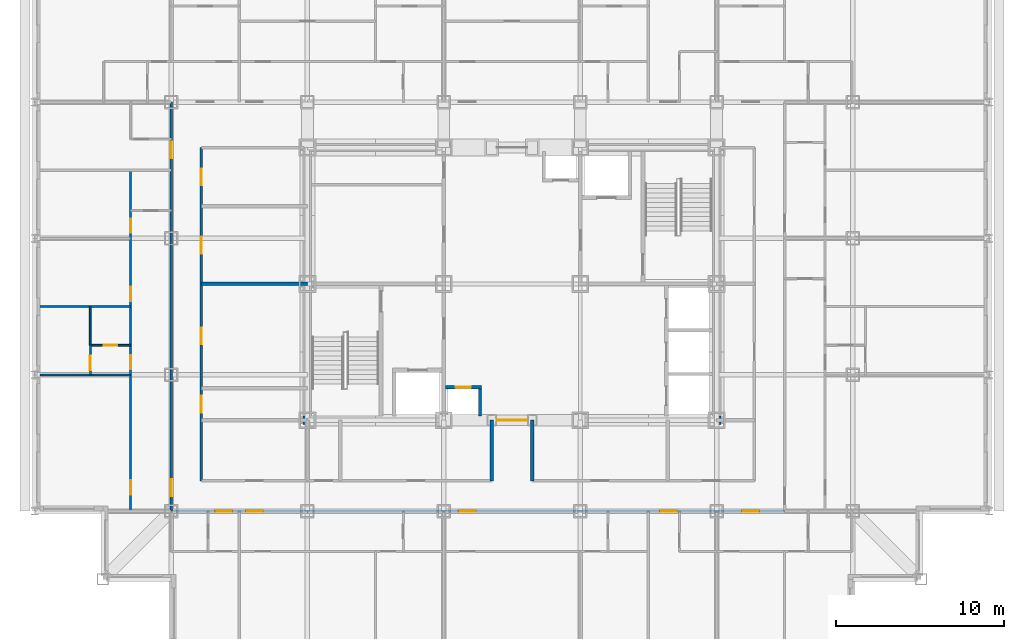
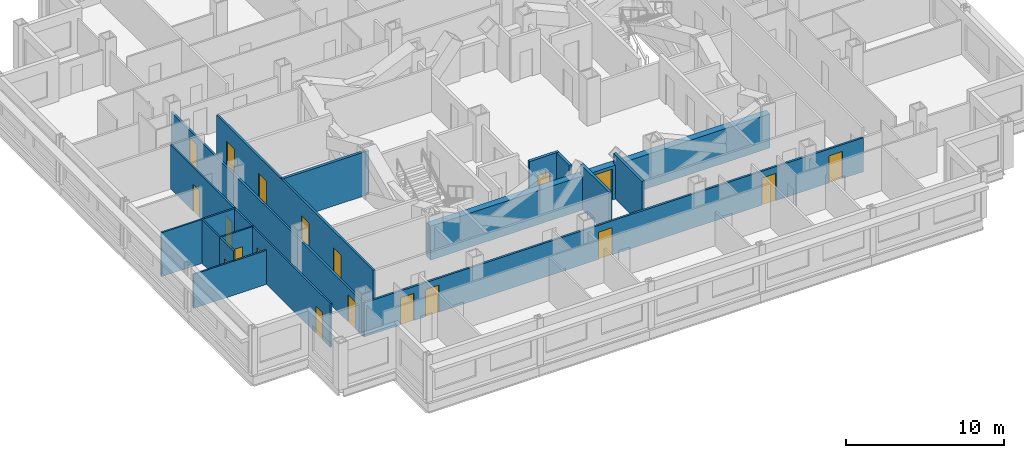
# One storey, part 5 of 12: 19 doors, 15 walls, 19 openings.
"""IFC4 building model written with IfcOpenShell, lengths in metres."""

from ifc_helpers import new_model, si_unit, direction, frame, frame_2d, origin, place, context, subcontext, project, spatial, rectangle, extrude, material, layer, layer_set, type_object, element, fill, save


model = new_model("IFC4")

# Units and contexts
model_context = context("Model", 3, precision=1e-05, world=origin(), true_north=direction((0.0, 1.0)))
body_context = subcontext(model_context, "Body", "Model", "MODEL_VIEW")
ifc_project = project(units=[si_unit("LENGTHUNIT", "METRE"), si_unit("AREAUNIT", "SQUARE_METRE"), si_unit("VOLUMEUNIT", "CUBIC_METRE"), si_unit("PLANEANGLEUNIT", "RADIAN"), si_unit("MASSUNIT", "GRAM", prefix="KILO")], contexts=[model_context])

# Site, building, storey
site_placement = place(None, origin())
site = spatial("IfcSite", under=ifc_project, at=site_placement, CompositionType="ELEMENT")
building_placement = place(site_placement, origin())
building = spatial("IfcBuilding", under=site, at=building_placement, Name="Kopane Lantern Tower", CompositionType="ELEMENT")
storey_placement = place(building_placement, frame((0.0, 0.0, 224.39990234375)))
storey = spatial("IfcBuildingStorey", under=building, at=storey_placement, Name="L58", CompositionType="ELEMENT", Elevation=224.39990234375)

# Wall, openings, doors
ifc_material_1 = material(Name="Gypsum board on steel studs", Category="steel")
ifc_layer_1 = layer(ifc_material_1, 0.1201171875)
ifc_layer_set_1 = layer_set([ifc_layer_1], Name="APARTMENT INTERNAL WALL 120")
wall_type_1 = type_object("IfcWallType", Name="APARTMENT INTERNAL WALL 120", PredefinedType="PARTITIONING", material=ifc_layer_set_1)
wall_1_placement = place(storey_placement, frame((5.699951171875, 18.89990234375, 0.0), z_axis=(0.0, 0.0, 1.0), x_axis=(0.0, 1.0, 0.0)))
wall_1 = element("IfcWall", 1, at=wall_1_placement, inside=storey, type_object=wall_type_1, Name="Apartment Internal Wall 120 L58", PredefinedType="PARTITIONING", context=body_context, shape_type="SweptSolid", body=[
    extrude(rectangle(XDim=20.25, YDim=0.1201171875, at=frame_2d((10.125, 0.0))), origin(), (0.0, 0.0, 1.0), 3.39013671875),
])
opening_1_placement = place(wall_1_placement, frame((0.97509765625, 0.0, 0.0)))
opening_1 = element("IfcOpeningElement", 2, at=opening_1_placement, cuts=wall_1, Name="Opening L58-034", PredefinedType="OPENING", context=body_context, shape_type="SweptSolid", body=[
    extrude(rectangle(XDim=0.85009765625, YDim=2.10009765625, at=frame_2d((0.425048828125, 1.050048828125))), frame((0.0, 0.070068359375, 0.0), z_axis=(0.0, -1.0, 0.0), x_axis=(1.0, 0.0, 0.0)), (0.0, 0.0, 1.0), 0.14013671875),
])
opening_2_placement = place(wall_1_placement, frame((8.425048828125, 0.0, 0.0)))
opening_2 = element("IfcOpeningElement", 3, at=opening_2_placement, cuts=wall_1, Name="Opening L58-036", PredefinedType="OPENING", context=body_context, shape_type="SweptSolid", body=[
    extrude(rectangle(XDim=0.85009765625, YDim=2.10009765625, at=frame_2d((0.425048828125, 1.050048828125))), frame((0.0, 0.070068359375, 0.0), z_axis=(0.0, -1.0, 0.0), x_axis=(1.0, 0.0, 0.0)), (0.0, 0.0, 1.0), 0.14013671875),
])
opening_3_placement = place(wall_1_placement, frame((12.47509765625, 0.0, 0.0)))
opening_3 = element("IfcOpeningElement", 4, at=opening_3_placement, cuts=wall_1, Name="Opening L58-037", PredefinedType="OPENING", context=body_context, shape_type="SweptSolid", body=[
    extrude(rectangle(XDim=0.85009765625, YDim=2.10009765625, at=frame_2d((0.425048828125, 1.050048828125))), frame((0.0, 0.070068359375, 0.0), z_axis=(0.0, -1.0, 0.0), x_axis=(1.0, 0.0, 0.0)), (0.0, 0.0, 1.0), 0.14013671875),
])
opening_4_placement = place(wall_1_placement, frame((16.52490234375, 0.0, 0.0)))
opening_4 = element("IfcOpeningElement", 5, at=opening_4_placement, cuts=wall_1, Name="Opening L58-038", PredefinedType="OPENING", context=body_context, shape_type="SweptSolid", body=[
    extrude(rectangle(XDim=0.85009765625, YDim=2.10009765625, at=frame_2d((0.425048828125, 1.050048828125))), frame((0.0, 0.070068359375, 0.0), z_axis=(0.0, -1.0, 0.0), x_axis=(1.0, 0.0, 0.0)), (0.0, 0.0, 1.0), 0.14013671875),
])
ifc_material_2 = material(Name="Timber door set", Category="wood")
door_type_1 = type_object("IfcDoorType", Name="DOOR D4 850x2100", OperationType="SINGLE_SWING_LEFT", PredefinedType="DOOR", material=ifc_material_2)
door_1_placement = place(opening_1_placement, origin())
door_1 = element("IfcDoor", 6, at=door_1_placement, inside=storey, type_object=door_type_1, Name="Door L58-034", OperationType="SINGLE_SWING_RIGHT", OverallHeight=2.10009765625, OverallWidth=0.85009765625, PredefinedType="DOOR", context=body_context, shape_type="SweptSolid", body=[
    extrude(rectangle(XDim=0.85009765625, YDim=2.10009765625, at=frame_2d((0.425048828125, 1.050048828125))), frame((0.0, 0.02490234375, 0.0), z_axis=(0.0, -1.0, 0.0), x_axis=(1.0, 0.0, 0.0)), (0.0, 0.0, 1.0), 0.050048828125),
])
fill(opening_1, door_1)
door_2_placement = place(opening_2_placement, origin())
door_2 = element("IfcDoor", 7, at=door_2_placement, inside=storey, type_object=door_type_1, Name="Door L58-036", OperationType="SINGLE_SWING_LEFT", OverallHeight=2.10009765625, OverallWidth=0.85009765625, PredefinedType="DOOR", context=body_context, shape_type="SweptSolid", body=[
    extrude(rectangle(XDim=0.85009765625, YDim=2.10009765625, at=frame_2d((0.425048828125, 1.050048828125))), frame((0.0, 0.02490234375, 0.0), z_axis=(0.0, -1.0, 0.0), x_axis=(1.0, 0.0, 0.0)), (0.0, 0.0, 1.0), 0.050048828125),
])
fill(opening_2, door_2)
door_3_placement = place(opening_3_placement, origin())
door_3 = element("IfcDoor", 8, at=door_3_placement, inside=storey, type_object=door_type_1, Name="Door L58-037", OperationType="SINGLE_SWING_LEFT", OverallHeight=2.10009765625, OverallWidth=0.85009765625, PredefinedType="DOOR", context=body_context, shape_type="SweptSolid", body=[
    extrude(rectangle(XDim=0.85009765625, YDim=2.10009765625, at=frame_2d((0.425048828125, 1.050048828125))), frame((0.0, 0.02490234375, 0.0), z_axis=(0.0, -1.0, 0.0), x_axis=(1.0, 0.0, 0.0)), (0.0, 0.0, 1.0), 0.050048828125),
])
fill(opening_3, door_3)
door_4_placement = place(opening_4_placement, origin())
door_4 = element("IfcDoor", 9, at=door_4_placement, inside=storey, type_object=door_type_1, Name="Door L58-038", OperationType="SINGLE_SWING_LEFT", OverallHeight=2.10009765625, OverallWidth=0.85009765625, PredefinedType="DOOR", context=body_context, shape_type="SweptSolid", body=[
    extrude(rectangle(XDim=0.85009765625, YDim=2.10009765625, at=frame_2d((0.425048828125, 1.050048828125))), frame((0.0, 0.02490234375, 0.0), z_axis=(0.0, -1.0, 0.0), x_axis=(1.0, 0.0, 0.0)), (0.0, 0.0, 1.0), 0.050048828125),
])
fill(opening_4, door_4)

# Walls
wall_2_placement = place(storey_placement, frame((5.699951171875, 27.0, 0.0), z_axis=(0.0, 0.0, 1.0), x_axis=(-1.0, 0.0, 0.0)))
element("IfcWall", 10, at=wall_2_placement, inside=storey, type_object=wall_type_1, Name="Apartment Internal Wall 120 L58", PredefinedType="PARTITIONING", context=body_context, shape_type="SweptSolid", body=[
    extrude(rectangle(XDim=5.39990234375, YDim=0.1201171875, at=frame_2d((2.699951171875, 0.0))), origin(), (0.0, 0.0, 1.0), 2.6279296875),
])
wall_3_placement = place(storey_placement, frame((5.699951171875, 31.050048828125, 0.0), z_axis=(0.0, 0.0, 1.0), x_axis=(-1.0, 0.0, 0.0)))
element("IfcWall", 11, at=wall_3_placement, inside=storey, type_object=wall_type_1, Name="Apartment Internal Wall 120 L58", PredefinedType="PARTITIONING", context=body_context, shape_type="SweptSolid", body=[
    extrude(rectangle(XDim=5.39990234375, YDim=0.1201171875, at=frame_2d((2.699951171875, 0.0))), origin(), (0.0, 0.0, 1.0), 3.39013671875),
])

# Wall, opening, door
wall_4_placement = place(storey_placement, frame((3.300048828125, 27.0, 0.0), z_axis=(0.0, 0.0, 1.0), x_axis=(0.0, 1.0, 0.0)))
wall_4 = element("IfcWall", 12, at=wall_4_placement, inside=storey, type_object=wall_type_1, Name="Apartment Internal Wall 120 L58", PredefinedType="PARTITIONING", context=body_context, shape_type="SweptSolid", body=[
    extrude(rectangle(XDim=1.760009765625, YDim=0.1201171875, at=frame_2d((0.8798828125, 0.0))), origin(), (0.0, 0.0, 1.0), 3.39013671875),
])
opening_5_placement = place(wall_4_placement, frame((0.27490234375, 0.0, 0.0)))
opening_5 = element("IfcOpeningElement", 13, at=opening_5_placement, cuts=wall_4, Name="Opening L58-068", PredefinedType="OPENING", context=body_context, shape_type="SweptSolid", body=[
    extrude(rectangle(XDim=0.85009765625, YDim=2.10009765625, at=frame_2d((0.425048828125, 1.050048828125))), frame((0.0, 0.070068359375, 0.0), z_axis=(0.0, -1.0, 0.0), x_axis=(1.0, 0.0, 0.0)), (0.0, 0.0, 1.0), 0.14013671875),
])
door_5_placement = place(opening_5_placement, origin())
door_5 = element("IfcDoor", 14, at=door_5_placement, inside=storey, type_object=door_type_1, Name="Door L58-068", OperationType="SINGLE_SWING_LEFT", OverallHeight=2.10009765625, OverallWidth=0.85009765625, PredefinedType="DOOR", context=body_context, shape_type="SweptSolid", body=[
    extrude(rectangle(XDim=0.85009765625, YDim=2.10009765625, at=frame_2d((0.425048828125, 1.050048828125))), frame((0.0, 0.02490234375, 0.0), z_axis=(0.0, -1.0, 0.0), x_axis=(1.0, 0.0, 0.0)), (0.0, 0.0, 1.0), 0.050048828125),
])
fill(opening_5, door_5)

ifc_material_3 = material(Name="Moisture-resistant board on steel studs", Category="steel")
ifc_layer_2 = layer(ifc_material_3, 0.10009765625)
ifc_layer_set_2 = layer_set([ifc_layer_2], Name="BATHROOM WALL 100")
wall_type_2 = type_object("IfcWallType", Name="BATHROOM WALL 100", PredefinedType="PARTITIONING", material=ifc_layer_set_2)
wall_5_placement = place(storey_placement, frame((5.699951171875, 28.75, 0.0), z_axis=(0.0, 0.0, 1.0), x_axis=(-1.0, 0.0, 0.0)))
wall_5 = element("IfcWall", 15, at=wall_5_placement, inside=storey, type_object=wall_type_2, Name="Bathroom Wall 100 L58", PredefinedType="PARTITIONING", context=body_context, shape_type="SweptSolid", body=[
    extrude(rectangle(XDim=2.39990234375, YDim=0.10009765625, at=frame_2d((1.199951171875, 0.0))), origin(), (0.0, 0.0, 1.0), 3.39013671875),
])
opening_6_placement = place(wall_5_placement, frame((0.800048828125, 0.0, 0.0)))
opening_6 = element("IfcOpeningElement", 16, at=opening_6_placement, cuts=wall_5, Name="Opening L58-035", PredefinedType="OPENING", context=body_context, shape_type="SweptSolid", body=[
    extrude(rectangle(XDim=0.800048828125, YDim=2.10009765625, at=frame_2d((0.39990234375, 1.050048828125))), frame((0.0, 0.06005859375, 0.0), z_axis=(0.0, -1.0, 0.0), x_axis=(1.0, 0.0, 0.0)), (0.0, 0.0, 1.0), 0.1201171875),
])
ifc_material_4 = material(Name="Timber door set", Category="wood")
door_type_2 = type_object("IfcDoorType", Name="DOOR D2 800x2100", OperationType="SINGLE_SWING_LEFT", PredefinedType="DOOR", material=ifc_material_4)
door_6_placement = place(opening_6_placement, origin())
door_6 = element("IfcDoor", 17, at=door_6_placement, inside=storey, type_object=door_type_2, Name="Door L58-035", OperationType="SINGLE_SWING_RIGHT", OverallHeight=2.10009765625, OverallWidth=0.800048828125, PredefinedType="DOOR", context=body_context, shape_type="SweptSolid", body=[
    extrude(rectangle(XDim=0.800048828125, YDim=2.10009765625, at=frame_2d((0.39990234375, 1.050048828125))), frame((0.0, 0.02490234375, 0.0), z_axis=(0.0, -1.0, 0.0), x_axis=(1.0, 0.0, 0.0)), (0.0, 0.0, 1.0), 0.050048828125),
])
fill(opening_6, door_6)

# Wall
wall_6_placement = place(storey_placement, frame((3.300048828125, 28.75, 0.0), z_axis=(0.0, 0.0, 1.0), x_axis=(0.0, 1.0, 0.0)))
element("IfcWall", 18, at=wall_6_placement, inside=storey, type_object=wall_type_2, Name="Bathroom Wall 100 L58", PredefinedType="PARTITIONING", context=body_context, shape_type="SweptSolid", body=[
    extrude(rectangle(XDim=2.300048828125, YDim=0.10009765625, at=frame_2d((1.14990234375, 0.0))), origin(), (0.0, 0.0, 1.0), 3.39013671875),
])

# Wall, opening, door
ifc_material_5 = material(Name="Gypsum shaft wall EI 120", Category="gypsum")
ifc_layer_3 = layer(ifc_material_5, 0.5)
ifc_layer_set_3 = layer_set([ifc_layer_3], Name="CORE PERIMETER WALL 500 EI 120")
wall_type_3 = type_object("IfcWallType", Name="CORE PERIMETER WALL 500 EI 120", PredefinedType="SOLIDWALL", material=ifc_layer_set_3)
wall_7_placement = place(storey_placement, frame((15.949951171875, 24.300048828125, 0.0), z_axis=(0.0, 0.0, 1.0), x_axis=(1.0, 0.0, 0.0)))
wall_7 = element("IfcWall", 19, at=wall_7_placement, inside=storey, type_object=wall_type_3, Name="Core shaft wall L58 PS", PredefinedType="SOLIDWALL", context=body_context, shape_type="SweptSolid", body=[
    extrude(rectangle(XDim=24.800048828125, YDim=0.5, at=frame_2d((12.39990234375, 0.0))), origin(), (0.0, 0.0, 1.0), 2.6279296875),
])
opening_7_placement = place(wall_7_placement, frame((11.5, 0.0, 0.0)))
opening_7 = element("IfcOpeningElement", 20, at=opening_7_placement, cuts=wall_7, Name="Opening 58.CE-S", PredefinedType="OPENING", context=body_context, shape_type="SweptSolid", body=[
    extrude(rectangle(XDim=1.800048828125, YDim=2.39990234375, at=frame_2d((0.89990234375, 1.199951171875))), frame((0.0, 0.260009765625, 0.0), z_axis=(0.0, -1.0, 0.0), x_axis=(1.0, 0.0, 0.0)), (0.0, 0.0, 1.0), 0.52001953125),
])
ifc_material_6 = material(Name="Steel door set", Category="steel")
door_type_3 = type_object("IfcDoorType", Name="CORE ENTRY DOOR 1800x2400 FD60S", OperationType="DOUBLE_DOOR_SINGLE_SWING", PredefinedType="DOOR", material=ifc_material_6)
door_7_placement = place(opening_7_placement, origin())
door_7 = element("IfcDoor", 21, at=door_7_placement, inside=storey, type_object=door_type_3, Name="Core entry door L58 south", OperationType="DOUBLE_DOOR_SINGLE_SWING", OverallHeight=2.39990234375, OverallWidth=1.800048828125, PredefinedType="DOOR", context=body_context, shape_type="SweptSolid", body=[
    extrude(rectangle(XDim=1.800048828125, YDim=2.39990234375, at=frame_2d((0.89990234375, 1.199951171875))), frame((0.0, 0.02490234375, 0.0), z_axis=(0.0, -1.0, 0.0), x_axis=(1.0, 0.0, 0.0)), (0.0, 0.0, 1.0), 0.050048828125),
])
fill(opening_7, door_7)

# Wall, openings, doors
ifc_material_7 = material(Name="Gypsum board on steel studs", Category="steel")
ifc_layer_4 = layer(ifc_material_7, 0.14990234375)
ifc_layer_set_4 = layer_set([ifc_layer_4], Name="CORRIDOR WALL 150 EI 60")
wall_type_4 = type_object("IfcWallType", Name="CORRIDOR WALL 150 EI 60", PredefinedType="PARTITIONING", material=ifc_layer_set_4)
wall_8_placement = place(storey_placement, frame((8.10009765625, 18.89990234375, 0.0), z_axis=(0.0, 0.0, 1.0), x_axis=(1.0, 0.0, 0.0)))
wall_8 = element("IfcWall", 22, at=wall_8_placement, inside=storey, type_object=wall_type_4, Name="Corridor Wall 150 Ei 60 L58", PredefinedType="PARTITIONING", context=body_context, shape_type="SweptSolid", body=[
    extrude(rectangle(XDim=36.449951171875, YDim=0.14990234375, at=frame_2d((18.22509765625, 0.0))), origin(), (0.0, 0.0, 1.0), 2.6279296875),
])
opening_8_placement = place(wall_8_placement, frame((4.449951171875, 0.0, 0.0)))
opening_8 = element("IfcOpeningElement", 23, at=opening_8_placement, cuts=wall_8, Name="Opening L58-013", PredefinedType="OPENING", context=body_context, shape_type="SweptSolid", body=[
    extrude(rectangle(XDim=1.0, YDim=2.10009765625, at=frame_2d((0.5, 1.050048828125))), frame((0.0, 0.0849609375, 0.0), z_axis=(0.0, -1.0, 0.0), x_axis=(1.0, 0.0, 0.0)), (0.0, 0.0, 1.0), 0.169921875),
])
opening_9_placement = place(wall_8_placement, frame((17.10009765625, 0.0, 0.0)))
opening_9 = element("IfcOpeningElement", 24, at=opening_9_placement, cuts=wall_8, Name="Opening L58-017", PredefinedType="OPENING", context=body_context, shape_type="SweptSolid", body=[
    extrude(rectangle(XDim=1.0, YDim=2.10009765625, at=frame_2d((0.5, 1.050048828125))), frame((0.0, 0.0849609375, 0.0), z_axis=(0.0, -1.0, 0.0), x_axis=(1.0, 0.0, 0.0)), (0.0, 0.0, 1.0), 0.169921875),
])
opening_10_placement = place(wall_8_placement, frame((29.050048828125, 0.0, 0.0)))
opening_10 = element("IfcOpeningElement", 25, at=opening_10_placement, cuts=wall_8, Name="Opening L58-021", PredefinedType="OPENING", context=body_context, shape_type="SweptSolid", body=[
    extrude(rectangle(XDim=1.0, YDim=2.10009765625, at=frame_2d((0.5, 1.050048828125))), frame((0.0, 0.0849609375, 0.0), z_axis=(0.0, -1.0, 0.0), x_axis=(1.0, 0.0, 0.0)), (0.0, 0.0, 1.0), 0.169921875),
])
opening_11_placement = place(wall_8_placement, frame((2.625, 0.0, 0.0)))
opening_11 = element("IfcOpeningElement", 26, at=opening_11_placement, cuts=wall_8, Name="Opening L58-052", PredefinedType="OPENING", context=body_context, shape_type="SweptSolid", body=[
    extrude(rectangle(XDim=1.0, YDim=2.10009765625, at=frame_2d((0.5, 1.050048828125))), frame((0.0, 0.0849609375, 0.0), z_axis=(0.0, -1.0, 0.0), x_axis=(1.0, 0.0, 0.0)), (0.0, 0.0, 1.0), 0.169921875),
])
opening_12_placement = place(wall_8_placement, frame((33.925048828125, 0.0, 0.0)))
opening_12 = element("IfcOpeningElement", 27, at=opening_12_placement, cuts=wall_8, Name="Opening L58-054", PredefinedType="OPENING", context=body_context, shape_type="SweptSolid", body=[
    extrude(rectangle(XDim=1.0, YDim=2.10009765625, at=frame_2d((0.5, 1.050048828125))), frame((0.0, 0.0849609375, 0.0), z_axis=(0.0, -1.0, 0.0), x_axis=(1.0, 0.0, 0.0)), (0.0, 0.0, 1.0), 0.169921875),
])
ifc_material_8 = material(Name="Steel door set", Category="steel")
door_type_4 = type_object("IfcDoorType", Name="DOOR D3 1000x2100 FD30S", OperationType="SINGLE_SWING_LEFT", PredefinedType="DOOR", material=ifc_material_8)
door_8_placement = place(opening_8_placement, origin())
door_8 = element("IfcDoor", 28, at=door_8_placement, inside=storey, type_object=door_type_4, Name="Door L58-013", OperationType="SINGLE_SWING_RIGHT", OverallHeight=2.10009765625, OverallWidth=1.0, PredefinedType="DOOR", context=body_context, shape_type="SweptSolid", body=[
    extrude(rectangle(XDim=1.0, YDim=2.10009765625, at=frame_2d((0.5, 1.050048828125))), frame((0.0, 0.02490234375, 0.0), z_axis=(0.0, -1.0, 0.0), x_axis=(1.0, 0.0, 0.0)), (0.0, 0.0, 1.0), 0.050048828125),
])
fill(opening_8, door_8)
door_9_placement = place(opening_9_placement, origin())
door_9 = element("IfcDoor", 29, at=door_9_placement, inside=storey, type_object=door_type_4, Name="Door L58-017", OperationType="SINGLE_SWING_RIGHT", OverallHeight=2.10009765625, OverallWidth=1.0, PredefinedType="DOOR", context=body_context, shape_type="SweptSolid", body=[
    extrude(rectangle(XDim=1.0, YDim=2.10009765625, at=frame_2d((0.5, 1.050048828125))), frame((0.0, 0.02490234375, 0.0), z_axis=(0.0, -1.0, 0.0), x_axis=(1.0, 0.0, 0.0)), (0.0, 0.0, 1.0), 0.050048828125),
])
fill(opening_9, door_9)
door_10_placement = place(opening_10_placement, origin())
door_10 = element("IfcDoor", 30, at=door_10_placement, inside=storey, type_object=door_type_4, Name="Door L58-021", OperationType="SINGLE_SWING_LEFT", OverallHeight=2.10009765625, OverallWidth=1.0, PredefinedType="DOOR", context=body_context, shape_type="SweptSolid", body=[
    extrude(rectangle(XDim=1.0, YDim=2.10009765625, at=frame_2d((0.5, 1.050048828125))), frame((0.0, 0.02490234375, 0.0), z_axis=(0.0, -1.0, 0.0), x_axis=(1.0, 0.0, 0.0)), (0.0, 0.0, 1.0), 0.050048828125),
])
fill(opening_10, door_10)
door_11_placement = place(opening_11_placement, origin())
door_11 = element("IfcDoor", 31, at=door_11_placement, inside=storey, type_object=door_type_4, Name="Door L58-052", OperationType="SINGLE_SWING_RIGHT", OverallHeight=2.10009765625, OverallWidth=1.0, PredefinedType="DOOR", context=body_context, shape_type="SweptSolid", body=[
    extrude(rectangle(XDim=1.0, YDim=2.10009765625, at=frame_2d((0.5, 1.050048828125))), frame((0.0, 0.02490234375, 0.0), z_axis=(0.0, -1.0, 0.0), x_axis=(1.0, 0.0, 0.0)), (0.0, 0.0, 1.0), 0.050048828125),
])
fill(opening_11, door_11)
door_12_placement = place(opening_12_placement, origin())
door_12 = element("IfcDoor", 32, at=door_12_placement, inside=storey, type_object=door_type_4, Name="Door L58-054", OperationType="SINGLE_SWING_RIGHT", OverallHeight=2.10009765625, OverallWidth=1.0, PredefinedType="DOOR", context=body_context, shape_type="SweptSolid", body=[
    extrude(rectangle(XDim=1.0, YDim=2.10009765625, at=frame_2d((0.5, 1.050048828125))), frame((0.0, 0.02490234375, 0.0), z_axis=(0.0, -1.0, 0.0), x_axis=(1.0, 0.0, 0.0)), (0.0, 0.0, 1.0), 0.050048828125),
])
fill(opening_12, door_12)

wall_9_placement = place(storey_placement, frame((8.10009765625, 18.89990234375, 0.0), z_axis=(0.0, 0.0, 1.0), x_axis=(0.0, 1.0, 0.0)))
wall_9 = element("IfcWall", 33, at=wall_9_placement, inside=storey, type_object=wall_type_4, Name="Corridor Wall 150 Ei 60 L58", PredefinedType="PARTITIONING", context=body_context, shape_type="SweptSolid", body=[
    extrude(rectangle(XDim=24.300048828125, YDim=0.14990234375, at=frame_2d((12.14990234375, 0.0))), origin(), (0.0, 0.0, 1.0), 2.6279296875),
])
opening_13_placement = place(wall_9_placement, frame((0.89990234375, 0.0, 0.0)))
opening_13 = element("IfcOpeningElement", 34, at=opening_13_placement, cuts=wall_9, Name="Opening L58-033", PredefinedType="OPENING", context=body_context, shape_type="SweptSolid", body=[
    extrude(rectangle(XDim=1.0, YDim=2.10009765625, at=frame_2d((0.5, 1.050048828125))), frame((0.0, 0.0849609375, 0.0), z_axis=(0.0, -1.0, 0.0), x_axis=(1.0, 0.0, 0.0)), (0.0, 0.0, 1.0), 0.169921875),
])
opening_14_placement = place(wall_9_placement, frame((20.949951171875, 0.0, 0.0)))
opening_14 = element("IfcOpeningElement", 35, at=opening_14_placement, cuts=wall_9, Name="Opening L58-040", PredefinedType="OPENING", context=body_context, shape_type="SweptSolid", body=[
    extrude(rectangle(XDim=1.0, YDim=2.10009765625, at=frame_2d((0.5, 1.050048828125))), frame((0.0, 0.0849609375, 0.0), z_axis=(0.0, -1.0, 0.0), x_axis=(1.0, 0.0, 0.0)), (0.0, 0.0, 1.0), 0.169921875),
])
door_13_placement = place(opening_13_placement, origin())
door_13 = element("IfcDoor", 36, at=door_13_placement, inside=storey, type_object=door_type_4, Name="Door L58-033", OperationType="SINGLE_SWING_LEFT", OverallHeight=2.10009765625, OverallWidth=1.0, PredefinedType="DOOR", context=body_context, shape_type="SweptSolid", body=[
    extrude(rectangle(XDim=1.0, YDim=2.10009765625, at=frame_2d((0.5, 1.050048828125))), frame((0.0, 0.02490234375, 0.0), z_axis=(0.0, -1.0, 0.0), x_axis=(1.0, 0.0, 0.0)), (0.0, 0.0, 1.0), 0.050048828125),
])
fill(opening_13, door_13)
door_14_placement = place(opening_14_placement, origin())
door_14 = element("IfcDoor", 37, at=door_14_placement, inside=storey, type_object=door_type_4, Name="Door L58-040", OperationType="SINGLE_SWING_RIGHT", OverallHeight=2.10009765625, OverallWidth=1.0, PredefinedType="DOOR", context=body_context, shape_type="SweptSolid", body=[
    extrude(rectangle(XDim=1.0, YDim=2.10009765625, at=frame_2d((0.5, 1.050048828125))), frame((0.0, 0.02490234375, 0.0), z_axis=(0.0, -1.0, 0.0), x_axis=(1.0, 0.0, 0.0)), (0.0, 0.0, 1.0), 0.050048828125),
])
fill(opening_14, door_14)

wall_10_placement = place(storey_placement, frame((9.89990234375, 40.5, 0.0), z_axis=(0.0, 0.0, 1.0), x_axis=(0.0, -1.0, 0.0)))
wall_10 = element("IfcWall", 38, at=wall_10_placement, inside=storey, type_object=wall_type_4, Name="Corridor Wall 150 Ei 60 L58", PredefinedType="PARTITIONING", context=body_context, shape_type="SweptSolid", body=[
    extrude(rectangle(XDim=19.800048828125, YDim=0.14990234375, at=frame_2d((9.89990234375, 0.0))), origin(), (0.0, 0.0, 1.0), 3.39013671875),
])
opening_15_placement = place(wall_10_placement, frame((14.74755859375, 0.0, 0.0)))
opening_15 = element("IfcOpeningElement", 39, at=opening_15_placement, cuts=wall_10, Name="Opening L58-001", PredefinedType="OPENING", context=body_context, shape_type="SweptSolid", body=[
    extrude(rectangle(XDim=1.0, YDim=2.10009765625, at=frame_2d((0.5, 1.050048828125))), frame((0.0, 0.0849609375, 0.0), z_axis=(0.0, -1.0, 0.0), x_axis=(1.0, 0.0, 0.0)), (0.0, 0.0, 1.0), 0.169921875),
])
opening_16_placement = place(wall_10_placement, frame((10.697509765625, 0.0, 0.0)))
opening_16 = element("IfcOpeningElement", 40, at=opening_16_placement, cuts=wall_10, Name="Opening L58-002", PredefinedType="OPENING", context=body_context, shape_type="SweptSolid", body=[
    extrude(rectangle(XDim=1.0, YDim=2.10009765625, at=frame_2d((0.5, 1.050048828125))), frame((0.0, 0.0849609375, 0.0), z_axis=(0.0, -1.0, 0.0), x_axis=(1.0, 0.0, 0.0)), (0.0, 0.0, 1.0), 0.169921875),
])
opening_17_placement = place(wall_10_placement, frame((5.29833984375, 0.0, 0.0)))
opening_17 = element("IfcOpeningElement", 41, at=opening_17_placement, cuts=wall_10, Name="Opening L58-003", PredefinedType="OPENING", context=body_context, shape_type="SweptSolid", body=[
    extrude(rectangle(XDim=1.0, YDim=2.10009765625, at=frame_2d((0.5, 1.050048828125))), frame((0.0, 0.0849609375, 0.0), z_axis=(0.0, -1.0, 0.0), x_axis=(1.0, 0.0, 0.0)), (0.0, 0.0, 1.0), 0.169921875),
])
opening_18_placement = place(wall_10_placement, frame((1.248291015625, 0.0, 0.0)))
opening_18 = element("IfcOpeningElement", 42, at=opening_18_placement, cuts=wall_10, Name="Opening L58-004", PredefinedType="OPENING", context=body_context, shape_type="SweptSolid", body=[
    extrude(rectangle(XDim=1.0, YDim=2.10009765625, at=frame_2d((0.5, 1.050048828125))), frame((0.0, 0.0849609375, 0.0), z_axis=(0.0, -1.0, 0.0), x_axis=(1.0, 0.0, 0.0)), (0.0, 0.0, 1.0), 0.169921875),
])
ifc_material_9 = material(Name="Steel door set", Category="steel")
door_type_5 = type_object("IfcDoorType", Name="DOOR D5 1000x2100 FD60", OperationType="SINGLE_SWING_LEFT", PredefinedType="DOOR", material=ifc_material_9)
door_15_placement = place(opening_15_placement, origin())
door_15 = element("IfcDoor", 43, at=door_15_placement, inside=storey, type_object=door_type_5, Name="Door L58-001", OperationType="SINGLE_SWING_RIGHT", OverallHeight=2.10009765625, OverallWidth=1.0, PredefinedType="DOOR", context=body_context, shape_type="SweptSolid", body=[
    extrude(rectangle(XDim=1.0, YDim=2.10009765625, at=frame_2d((0.5, 1.050048828125))), frame((0.0, 0.02490234375, 0.0), z_axis=(0.0, -1.0, 0.0), x_axis=(1.0, 0.0, 0.0)), (0.0, 0.0, 1.0), 0.050048828125),
])
fill(opening_15, door_15)
door_16_placement = place(opening_16_placement, origin())
door_16 = element("IfcDoor", 44, at=door_16_placement, inside=storey, type_object=door_type_5, Name="Door L58-002", OperationType="SINGLE_SWING_LEFT", OverallHeight=2.10009765625, OverallWidth=1.0, PredefinedType="DOOR", context=body_context, shape_type="SweptSolid", body=[
    extrude(rectangle(XDim=1.0, YDim=2.10009765625, at=frame_2d((0.5, 1.050048828125))), frame((0.0, 0.02490234375, 0.0), z_axis=(0.0, -1.0, 0.0), x_axis=(1.0, 0.0, 0.0)), (0.0, 0.0, 1.0), 0.050048828125),
])
fill(opening_16, door_16)
door_17_placement = place(opening_17_placement, origin())
door_17 = element("IfcDoor", 45, at=door_17_placement, inside=storey, type_object=door_type_5, Name="Door L58-003", OperationType="SINGLE_SWING_RIGHT", OverallHeight=2.10009765625, OverallWidth=1.0, PredefinedType="DOOR", context=body_context, shape_type="SweptSolid", body=[
    extrude(rectangle(XDim=1.0, YDim=2.10009765625, at=frame_2d((0.5, 1.050048828125))), frame((0.0, 0.02490234375, 0.0), z_axis=(0.0, -1.0, 0.0), x_axis=(1.0, 0.0, 0.0)), (0.0, 0.0, 1.0), 0.050048828125),
])
fill(opening_17, door_17)
door_18_placement = place(opening_18_placement, origin())
door_18 = element("IfcDoor", 46, at=door_18_placement, inside=storey, type_object=door_type_5, Name="Door L58-004", OperationType="SINGLE_SWING_LEFT", OverallHeight=2.10009765625, OverallWidth=1.0, PredefinedType="DOOR", context=body_context, shape_type="SweptSolid", body=[
    extrude(rectangle(XDim=1.0, YDim=2.10009765625, at=frame_2d((0.5, 1.050048828125))), frame((0.0, 0.02490234375, 0.0), z_axis=(0.0, -1.0, 0.0), x_axis=(1.0, 0.0, 0.0)), (0.0, 0.0, 1.0), 0.050048828125),
])
fill(opening_18, door_18)

# Walls
ifc_material_10 = material(Name="Concrete masonry", Category="masonry")
ifc_layer_5 = layer(ifc_material_10, 0.199951171875)
ifc_layer_set_5 = layer_set([ifc_layer_5], Name="PLANT ROOM WALL 200 EI 120")
wall_type_5 = type_object("IfcWallType", Name="PLANT ROOM WALL 200 EI 120", PredefinedType="SOLIDWALL", material=ifc_layer_set_5)
wall_11_placement = place(storey_placement, frame((9.89990234375, 32.39990234375, 0.0), z_axis=(0.0, 0.0, 1.0), x_axis=(1.0, 0.0, 0.0)))
element("IfcWall", 47, at=wall_11_placement, inside=storey, type_object=wall_type_5, Name="Plant Room Wall 200 Ei 120 L58", PredefinedType="SOLIDWALL", context=body_context, shape_type="SweptSolid", body=[
    extrude(rectangle(XDim=6.300048828125, YDim=0.199951171875, at=frame_2d((3.14990234375, 0.0))), origin(), (0.0, 0.0, 1.0), 3.39013671875),
])
for number, where, z_axis, x_axis, name in (
    (48, (27.14990234375, 20.699951171875, 0.0), (0.0, 0.0, 1.0), (0.0, 1.0, 0.0), "Plant Room Wall 200 Ei 120 L58"),
    (49, (29.550048828125, 20.699951171875, 0.0), (0.0, 0.0, 1.0), (0.0, 1.0, 0.0), "Plant Room Wall 200 Ei 120 L58"),
):
    element("IfcWall", number, at=place(storey_placement, frame(where, z_axis=z_axis, x_axis=x_axis)), inside=storey, type_object=wall_type_5, Name=name, PredefinedType="SOLIDWALL", context=body_context, shape_type="SweptSolid", body=[
        extrude(rectangle(XDim=3.60009765625, YDim=0.199951171875, at=frame_2d((1.800048828125, 0.0))), origin(), (0.0, 0.0, 1.0), 3.39013671875),
    ])
ifc_material_11 = material(Name="Gypsum shaft wall EI 120", Category="gypsum")
ifc_layer_6 = layer(ifc_material_11, 0.199951171875)
ifc_layer_set_6 = layer_set([ifc_layer_6], Name="SHAFT WALL 200 EI 120")
wall_type_6 = type_object("IfcWallType", Name="SHAFT WALL 200 EI 120", PredefinedType="SOLIDWALL", material=ifc_layer_set_6)
wall_12_placement = place(storey_placement, frame((26.449951171875, 24.550048828125, 0.0), z_axis=(0.0, 0.0, 1.0), x_axis=(0.0, 1.0, 0.0)))
element("IfcWall", 50, at=wall_12_placement, inside=storey, type_object=wall_type_6, Name="Core shaft wall L58 XRS1", PredefinedType="SOLIDWALL", context=body_context, shape_type="SweptSolid", body=[
    extrude(rectangle(XDim=1.599853515625, YDim=0.199951171875, at=frame_2d((0.7998046875, 0.0))), origin(), (0.0, 0.0, 1.0), 3.39013671875),
])

# Wall, opening, door
wall_13_placement = place(storey_placement, frame((24.39990234375, 26.25, 0.0), z_axis=(0.0, 0.0, 1.0), x_axis=(1.0, 0.0, 0.0)))
wall_13 = element("IfcWall", 51, at=wall_13_placement, inside=storey, type_object=wall_type_6, Name="Core shaft wall L58 YRS1", PredefinedType="SOLIDWALL", context=body_context, shape_type="SweptSolid", body=[
    extrude(rectangle(XDim=2.150146484375, YDim=0.199951171875, at=frame_2d((1.0751953125, 0.0))), origin(), (0.0, 0.0, 1.0), 3.39013671875),
])
opening_19_placement = place(wall_13_placement, frame((0.60009765625, 0.0, 0.0)))
opening_19 = element("IfcOpeningElement", 52, at=opening_19_placement, cuts=wall_13, Name="Opening 58.RS1", PredefinedType="OPENING", context=body_context, shape_type="SweptSolid", body=[
    extrude(rectangle(XDim=0.89990234375, YDim=2.10009765625, at=frame_2d((0.449951171875, 1.050048828125))), frame((0.0, 0.10986328125, 0.0), z_axis=(0.0, -1.0, 0.0), x_axis=(1.0, 0.0, 0.0)), (0.0, 0.0, 1.0), 0.219970703125),
])
ifc_material_12 = material(Name="Steel door set", Category="steel")
door_type_6 = type_object("IfcDoorType", Name="RISER ACCESS DOOR 900x2100 FD60", OperationType="SINGLE_SWING_LEFT", PredefinedType="DOOR", material=ifc_material_12)
door_19_placement = place(opening_19_placement, origin())
door_19 = element("IfcDoor", 53, at=door_19_placement, inside=storey, type_object=door_type_6, Name="Riser access door RS1 L58", OperationType="SINGLE_SWING_LEFT", OverallHeight=2.10009765625, OverallWidth=0.89990234375, PredefinedType="DOOR", context=body_context, shape_type="SweptSolid", body=[
    extrude(rectangle(XDim=0.89990234375, YDim=2.10009765625, at=frame_2d((0.449951171875, 1.050048828125))), frame((0.0, 0.02490234375, 0.0), z_axis=(0.0, -1.0, 0.0), x_axis=(1.0, 0.0, 0.0)), (0.0, 0.0, 1.0), 0.050048828125),
])
fill(opening_19, door_19)

save(model, "model.ifc")
